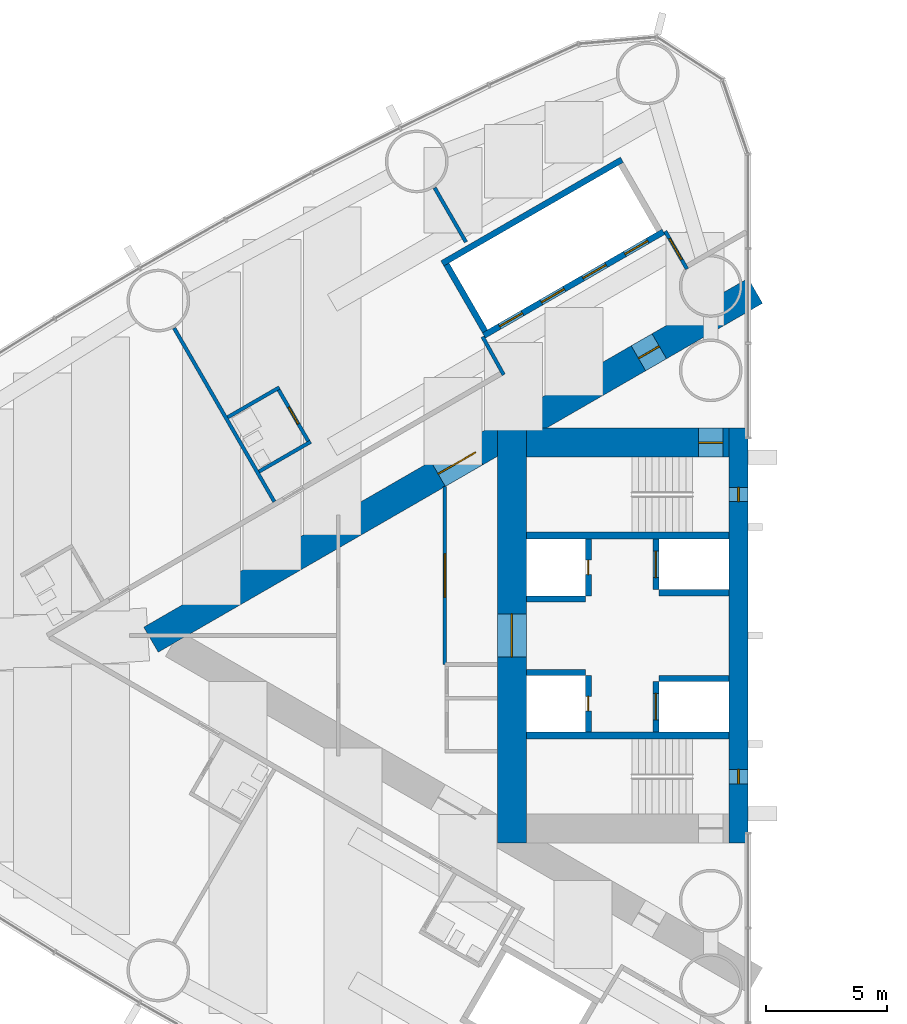
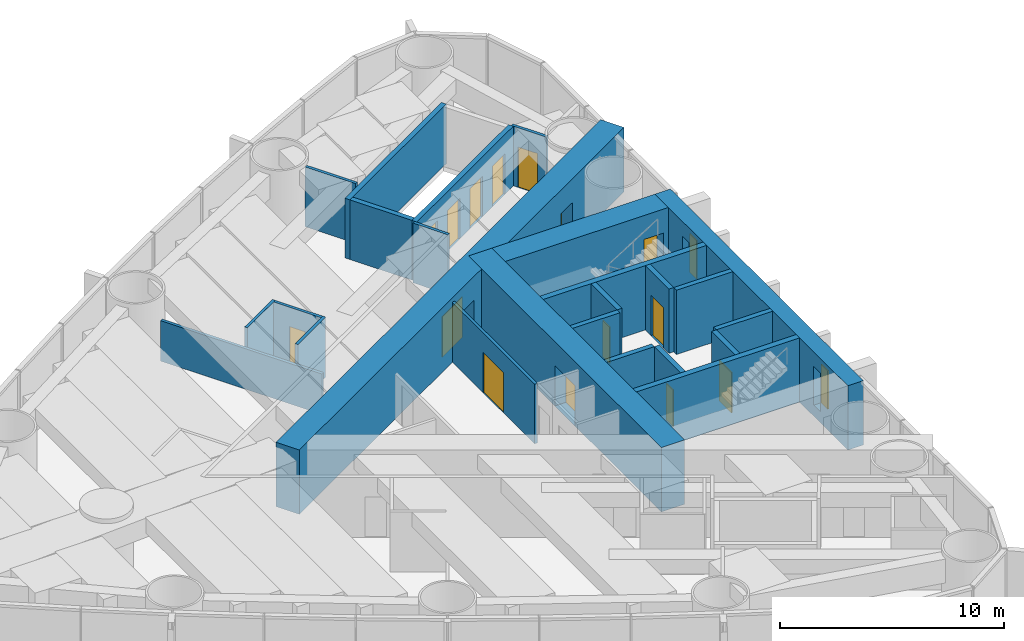
# One storey, part 12 of 19: 25 walls, 15 doors, 2 windows, 17 openings.
"""IFC4 building model written with IfcOpenShell, lengths in metres."""

from ifc_helpers import new_model, si_unit, direction, frame, frame_2d, origin, place, context, subcontext, project, spatial, rectangle, extrude, material, layer, layer_set, type_object, element, fill, save


model = new_model("IFC4")

# Units and contexts
model_context = context("Model", 3, precision=1e-05, world=origin(), true_north=direction((0.0, 1.0)))
body_context = subcontext(model_context, "Body", "Model", "MODEL_VIEW")
ifc_project = project(units=[si_unit("LENGTHUNIT", "METRE"), si_unit("AREAUNIT", "SQUARE_METRE"), si_unit("VOLUMEUNIT", "CUBIC_METRE"), si_unit("PLANEANGLEUNIT", "RADIAN"), si_unit("MASSUNIT", "GRAM", prefix="KILO")], contexts=[model_context])

# Site, building, storey
site_placement = place(None, origin())
site = spatial("IfcSite", under=ifc_project, at=site_placement, CompositionType="ELEMENT")
building_placement = place(site_placement, origin())
building = spatial("IfcBuilding", under=site, at=building_placement, Name="Lancet Gate Hotel", CompositionType="ELEMENT")
storey_placement = place(building_placement, frame((0.0, 0.0, 90.60009765625)))
storey = spatial("IfcBuildingStorey", under=building, at=storey_placement, Name="L23", CompositionType="ELEMENT", Elevation=90.60009765625)

# Wall
ifc_material_1 = material(Name="Moisture resistant board partition")
ifc_layer_1 = layer(ifc_material_1, 0.14990234375)
ifc_layer_set_1 = layer_set([ifc_layer_1], Name="Bathroom wall 150")
wall_type_1 = type_object("IfcWallType", Name="Bathroom wall 150", PredefinedType="PARTITIONING", material=ifc_layer_set_1)
wall_1_placement = place(storey_placement, frame((-46.94287109375, 10.29150390625, 0.0), z_axis=(0.0, 0.0, 1.0), x_axis=(-0.866006523861, -0.500032699561, 0.0)))
element("IfcWall", 1, at=wall_1_placement, inside=storey, type_object=wall_type_1, Name="T1 bathroom wall 150 L23", PredefinedType="PARTITIONING", context=body_context, shape_type="SweptSolid", body=[
    extrude(rectangle(XDim=2.474853515625, YDim=0.14990234375, at=frame_2d((1.2373046875, 0.0))), origin(), (0.0, 0.0, 1.0), 3.25),
])

# Wall, opening, door
wall_2_placement = place(storey_placement, frame((-45.707763671875, 8.00244140625, 0.0), z_axis=(0.0, 0.0, 1.0), x_axis=(-0.500047596559, 0.865997922154, 0.0)))
wall_2 = element("IfcWall", 2, at=wall_2_placement, inside=storey, type_object=wall_type_1, Name="T1 bathroom wall 150 L23", PredefinedType="PARTITIONING", context=body_context, shape_type="SweptSolid", body=[
    extrude(rectangle(XDim=2.599853515625, YDim=0.14990234375, at=frame_2d((1.2998046875, 0.0))), origin(), (0.0, 0.0, 1.0), 3.25),
])
opening_1_placement = place(wall_2_placement, frame((0.89990234375, 0.0, 0.0)))
opening_1 = element("IfcOpeningElement", 3, at=opening_1_placement, cuts=wall_2, Name="Opening 2302-B", PredefinedType="OPENING", context=body_context, shape_type="SweptSolid", body=[
    extrude(rectangle(XDim=0.800048828125, YDim=2.199951171875, at=frame_2d((0.39990234375, 1.10009765625))), frame((0.0, 0.0849609375, 0.0), z_axis=(0.0, -1.0, 0.0), x_axis=(1.0, 0.0, 0.0)), (0.0, 0.0, 1.0), 0.169921875),
])
ifc_material_2 = material(Name="Timber door set", Category="wood")
door_type_1 = type_object("IfcDoorType", Name="Bathroom door 800", OperationType="SINGLE_SWING_RIGHT", PredefinedType="DOOR", material=ifc_material_2)
door_1_placement = place(opening_1_placement, origin())
door_1 = element("IfcDoor", 4, at=door_1_placement, inside=storey, type_object=door_type_1, Name="2302-B", OperationType="SINGLE_SWING_RIGHT", OverallHeight=2.199951171875, OverallWidth=0.800048828125, PredefinedType="DOOR", context=body_context, shape_type="SweptSolid", body=[
    extrude(rectangle(XDim=0.800048828125, YDim=2.199951171875, at=frame_2d((0.39990234375, 1.10009765625))), frame((0.0, 0.02490234375, 0.0), z_axis=(0.0, -1.0, 0.0), x_axis=(1.0, 0.0, 0.0)), (0.0, 0.0, 1.0), 0.050048828125),
])
fill(opening_1, door_1)

# Wall
wall_3_placement = place(storey_placement, frame((-45.642822265625, 8.039794921875, 0.0), z_axis=(0.0, 0.0, 1.0), x_axis=(-0.866006523861, -0.500032699561, 0.0)))
element("IfcWall", 5, at=wall_3_placement, inside=storey, type_object=wall_type_1, Name="T1 bathroom wall 150 L23", PredefinedType="PARTITIONING", context=body_context, shape_type="SweptSolid", body=[
    extrude(rectangle(XDim=2.474853515625, YDim=0.14990234375, at=frame_2d((1.2373046875, 0.0))), origin(), (0.0, 0.0, 1.0), 3.25),
])

# Wall, openings, doors
ifc_material_3 = material(Name="Concrete C70/85", Category="concrete")
ifc_layer_2 = layer(ifc_material_3, 1.199951171875)
ifc_layer_set_2 = layer_set([ifc_layer_2], Name="Buttress wall 1200")
wall_type_2 = type_object("IfcWallType", Name="Buttress wall 1200", PredefinedType="SHEAR", material=ifc_layer_set_2)
wall_4_placement = place(storey_placement, frame((-27.199951171875, 14.300048828125, 0.0), z_axis=(0.0, 0.0, 1.0), x_axis=(-0.866026593062, -0.499997940104, 0.0)))
wall_4 = element("IfcWall", 6, at=wall_4_placement, inside=storey, type_object=wall_type_2, Name="T1 buttress wall S L23", PredefinedType="SHEAR", context=body_context, shape_type="SweptSolid", body=[
    extrude(rectangle(XDim=28.9462890625, YDim=1.199951171875, at=frame_2d((14.47314453125, 0.0))), origin(), (0.0, 0.0, 1.0), 3.5),
])
opening_2_placement = place(wall_4_placement, frame((4.60009765625, 0.0, 0.0)))
opening_2 = element("IfcOpeningElement", 7, at=opening_2_placement, cuts=wall_4, Name="Opening T1-L23-LS", PredefinedType="OPENING", context=body_context, shape_type="SweptSolid", body=[
    extrude(rectangle(XDim=1.0, YDim=2.199951171875, at=frame_2d((0.5, 1.10009765625))), frame((0.0, 0.60986328125, 0.0), z_axis=(0.0, -1.0, 0.0), x_axis=(1.0, 0.0, 0.0)), (0.0, 0.0, 1.0), 1.219970703125),
])
opening_3_placement = place(wall_4_placement, frame((13.39453125, 0.0, 0.0)))
opening_3 = element("IfcOpeningElement", 8, at=opening_3_placement, cuts=wall_4, Name="Opening T1-L23-LHS", PredefinedType="OPENING", context=body_context, shape_type="SweptSolid", body=[
    extrude(rectangle(XDim=1.800048828125, YDim=2.199951171875, at=frame_2d((0.89990234375, 1.10009765625))), frame((0.0, 0.60986328125, 0.0), z_axis=(0.0, -1.0, 0.0), x_axis=(1.0, 0.0, 0.0)), (0.0, 0.0, 1.0), 1.219970703125),
])
ifc_material_4 = material(Name="Timber door set", Category="wood")
door_type_2 = type_object("IfcDoorType", Name="Lobby double door 1800", OperationType="DOUBLE_DOOR_SINGLE_SWING", PredefinedType="DOOR", material=ifc_material_4)
door_2_placement = place(opening_3_placement, origin())
door_2 = element("IfcDoor", 9, at=door_2_placement, inside=storey, type_object=door_type_2, Name="T1-L23-LHS", OperationType="DOUBLE_DOOR_SINGLE_SWING", OverallHeight=2.199951171875, OverallWidth=1.800048828125, PredefinedType="DOOR", context=body_context, shape_type="SweptSolid", body=[
    extrude(rectangle(XDim=1.800048828125, YDim=2.199951171875, at=frame_2d((0.89990234375, 1.10009765625))), frame((0.0, 0.02490234375, 0.0), z_axis=(0.0, -1.0, 0.0), x_axis=(1.0, 0.0, 0.0)), (0.0, 0.0, 1.0), 0.050048828125),
])
fill(opening_3, door_2)
ifc_material_5 = material(Name="Timber door set", Category="wood")
door_type_3 = type_object("IfcDoorType", Name="Stair lobby door 1000", OperationType="SINGLE_SWING_LEFT", PredefinedType="DOOR", material=ifc_material_5)
door_3_placement = place(opening_2_placement, origin())
door_3 = element("IfcDoor", 10, at=door_3_placement, inside=storey, type_object=door_type_3, Name="T1-L23-LS", OperationType="SINGLE_SWING_LEFT", OverallHeight=2.199951171875, OverallWidth=1.0, PredefinedType="DOOR", context=body_context, shape_type="SweptSolid", body=[
    extrude(rectangle(XDim=1.0, YDim=2.199951171875, at=frame_2d((0.5, 1.10009765625))), frame((0.0, 0.02490234375, 0.0), z_axis=(0.0, -1.0, 0.0), x_axis=(1.0, 0.0, 0.0)), (0.0, 0.0, 1.0), 0.050048828125),
])
fill(opening_2, door_3)

# Wall, opening, door
ifc_material_6 = material(Name="Concrete C70/85", Category="concrete")
ifc_layer_3 = layer(ifc_material_6, 1.199951171875)
ifc_layer_set_3 = layer_set([ifc_layer_3], Name="Core wall 1200")
wall_type_3 = type_object("IfcWallType", Name="Core wall 1200", PredefinedType="SHEAR", material=ifc_layer_set_3)
wall_5_placement = place(storey_placement, frame((-37.300048828125, 8.60009765625, 0.0), z_axis=(0.0, 0.0, 1.0), x_axis=(0.0, -1.0, 0.0)))
wall_5 = element("IfcWall", 11, at=wall_5_placement, inside=storey, type_object=wall_type_3, Name="T1 core wall back L23", PredefinedType="SHEAR", context=body_context, shape_type="SweptSolid", body=[
    extrude(rectangle(XDim=17.2001953125, YDim=1.199951171875, at=frame_2d((8.60009765625, 0.0))), origin(), (0.0, 0.0, 1.0), 3.5),
])
opening_4_placement = place(wall_5_placement, frame((7.699951171875, 0.0, 0.0)))
opening_4 = element("IfcOpeningElement", 12, at=opening_4_placement, cuts=wall_5, Name="Opening T1-L23-LL", PredefinedType="OPENING", context=body_context, shape_type="SweptSolid", body=[
    extrude(rectangle(XDim=1.800048828125, YDim=2.199951171875, at=frame_2d((0.89990234375, 1.10009765625))), frame((0.0, 0.60986328125, 0.0), z_axis=(0.0, -1.0, 0.0), x_axis=(1.0, 0.0, 0.0)), (0.0, 0.0, 1.0), 1.219970703125),
])
door_4_placement = place(opening_4_placement, origin())
door_4 = element("IfcDoor", 13, at=door_4_placement, inside=storey, type_object=door_type_2, Name="T1-L23-LL", OperationType="DOUBLE_DOOR_SINGLE_SWING", OverallHeight=2.199951171875, OverallWidth=1.800048828125, PredefinedType="DOOR", context=body_context, shape_type="SweptSolid", body=[
    extrude(rectangle(XDim=1.800048828125, YDim=2.199951171875, at=frame_2d((0.89990234375, 1.10009765625))), frame((0.0, 0.02490234375, 0.0), z_axis=(0.0, -1.0, 0.0), x_axis=(1.0, 0.0, 0.0)), (0.0, 0.0, 1.0), 0.050048828125),
])
fill(opening_4, door_4)

wall_6_placement = place(storey_placement, frame((-28.300048828125, 8.0, 0.0), z_axis=(0.0, 0.0, 1.0), x_axis=(-1.0, 0.0, 0.0)))
wall_6 = element("IfcWall", 14, at=wall_6_placement, inside=storey, type_object=wall_type_3, Name="T1 core wall side-S L23", PredefinedType="SHEAR", context=body_context, shape_type="SweptSolid", body=[
    extrude(rectangle(XDim=8.39990234375, YDim=1.199951171875, at=frame_2d((4.199951171875, 0.0))), origin(), (0.0, 0.0, 1.0), 3.5),
])
opening_5_placement = place(wall_6_placement, frame((0.25, 0.0, 0.0)))
opening_5 = element("IfcOpeningElement", 15, at=opening_5_placement, cuts=wall_6, Name="Opening T1-L23-ST1", PredefinedType="OPENING", context=body_context, shape_type="SweptSolid", body=[
    extrude(rectangle(XDim=1.0, YDim=2.199951171875, at=frame_2d((0.5, 1.10009765625))), frame((0.0, 0.60986328125, 0.0), z_axis=(0.0, -1.0, 0.0), x_axis=(1.0, 0.0, 0.0)), (0.0, 0.0, 1.0), 1.219970703125),
])
ifc_material_7 = material(Name="Timber door set", Category="wood")
door_type_4 = type_object("IfcDoorType", Name="Stair door 1000", OperationType="SINGLE_SWING_RIGHT", PredefinedType="DOOR", material=ifc_material_7)
door_5_placement = place(opening_5_placement, origin())
door_5 = element("IfcDoor", 16, at=door_5_placement, inside=storey, type_object=door_type_4, Name="T1-L23-ST1", OperationType="SINGLE_SWING_RIGHT", OverallHeight=2.199951171875, OverallWidth=1.0, PredefinedType="DOOR", context=body_context, shape_type="SweptSolid", body=[
    extrude(rectangle(XDim=1.0, YDim=2.199951171875, at=frame_2d((0.5, 1.10009765625))), frame((0.0, 0.02490234375, 0.0), z_axis=(0.0, -1.0, 0.0), x_axis=(1.0, 0.0, 0.0)), (0.0, 0.0, 1.0), 0.050048828125),
])
fill(opening_5, door_5)

# Wall, openings, windows
ifc_material_8 = material(Name="Concrete C70/85", Category="concrete")
ifc_layer_4 = layer(ifc_material_8, 0.800048828125)
ifc_layer_set_4 = layer_set([ifc_layer_4], Name="Core wall 800")
wall_type_4 = type_object("IfcWallType", Name="Core wall 800", PredefinedType="SHEAR", material=ifc_layer_set_4)
wall_7_placement = place(storey_placement, frame((-27.89990234375, 8.60009765625, 0.0), z_axis=(0.0, 0.0, 1.0), x_axis=(0.0, -1.0, 0.0)))
wall_7 = element("IfcWall", 17, at=wall_7_placement, inside=storey, type_object=wall_type_4, Name="T1 core wall front L23", PredefinedType="SHEAR", context=body_context, shape_type="SweptSolid", body=[
    extrude(rectangle(XDim=17.2001953125, YDim=0.800048828125, at=frame_2d((8.60009765625, 0.0))), origin(), (0.0, 0.0, 1.0), 3.5),
])
opening_6_placement = place(wall_7_placement, frame((2.449951171875, 0.0, 0.60009765625)))
opening_6 = element("IfcOpeningElement", 18, at=opening_6_placement, cuts=wall_7, Name="Opening LW1", PredefinedType="OPENING", context=body_context, shape_type="SweptSolid", body=[
    extrude(rectangle(XDim=0.60009765625, YDim=2.10009765625, at=frame_2d((0.300048828125, 1.050048828125))), frame((0.0, 0.409912109375, 0.0), z_axis=(0.0, -1.0, 0.0), x_axis=(1.0, 0.0, 0.0)), (0.0, 0.0, 1.0), 0.820068359375),
])
opening_7_placement = place(wall_7_placement, frame((14.14990234375, 0.0, 0.60009765625)))
opening_7 = element("IfcOpeningElement", 19, at=opening_7_placement, cuts=wall_7, Name="Opening LW1", PredefinedType="OPENING", context=body_context, shape_type="SweptSolid", body=[
    extrude(rectangle(XDim=0.60009765625, YDim=2.10009765625, at=frame_2d((0.300048828125, 1.050048828125))), frame((0.0, 0.409912109375, 0.0), z_axis=(0.0, -1.0, 0.0), x_axis=(1.0, 0.0, 0.0)), (0.0, 0.0, 1.0), 0.820068359375),
])
ifc_material_9 = material(Name="Fire-resisting glazed steel window", Category="steel")
window_type = type_object("IfcWindowType", Name="Lancet window 600x2100", PartitioningType="SINGLE_PANEL", PredefinedType="WINDOW", material=ifc_material_9)
window_1_placement = place(opening_6_placement, origin())
window_1 = element("IfcWindow", 20, at=window_1_placement, inside=storey, type_object=window_type, Name="T1 stair window S L23", OverallHeight=2.10009765625, OverallWidth=0.60009765625, PartitioningType="SINGLE_PANEL", PredefinedType="WINDOW", context=body_context, shape_type="SweptSolid", body=[
    extrude(rectangle(XDim=0.60009765625, YDim=2.10009765625, at=frame_2d((0.300048828125, 1.050048828125))), frame((0.0, 0.030029296875, 0.0), z_axis=(0.0, -1.0, 0.0), x_axis=(1.0, 0.0, 0.0)), (0.0, 0.0, 1.0), 0.06005859375),
])
fill(opening_6, window_1)
window_2_placement = place(opening_7_placement, origin())
window_2 = element("IfcWindow", 21, at=window_2_placement, inside=storey, type_object=window_type, Name="T1 stair window N L23", OverallHeight=2.10009765625, OverallWidth=0.60009765625, PartitioningType="SINGLE_PANEL", PredefinedType="WINDOW", context=body_context, shape_type="SweptSolid", body=[
    extrude(rectangle(XDim=0.60009765625, YDim=2.10009765625, at=frame_2d((0.300048828125, 1.050048828125))), frame((0.0, 0.030029296875, 0.0), z_axis=(0.0, -1.0, 0.0), x_axis=(1.0, 0.0, 0.0)), (0.0, 0.0, 1.0), 0.06005859375),
])
fill(opening_7, window_2)

# Wall, openings, doors
ifc_material_10 = material(Name="Gypsum board partition")
ifc_layer_5 = layer(ifc_material_10, 0.25)
ifc_layer_set_5 = layer_set([ifc_layer_5], Name="Lift shaft partition 250")
wall_type_5 = type_object("IfcWallType", Name="Lift shaft partition 250", PredefinedType="PARTITIONING", material=ifc_layer_set_5)
wall_8_placement = place(storey_placement, frame((-31.010498046875, 16.747314453125, 0.0), z_axis=(0.0, 0.0, 1.0), x_axis=(-0.866028165386, -0.499995216735, 0.0)))
wall_8 = element("IfcWall", 22, at=wall_8_placement, inside=storey, type_object=wall_type_5, Name="T1 lift shaft wall LR L23", PredefinedType="PARTITIONING", context=body_context, shape_type="SweptSolid", body=[
    extrude(rectangle(XDim=8.60009765625, YDim=0.25, at=frame_2d((4.300048828125, 0.0))), origin(), (0.0, 0.0, 1.0), 3.25),
])
opening_8_placement = place(wall_8_placement, frame((0.75, 0.0, 0.0)))
opening_8 = element("IfcOpeningElement", 23, at=opening_8_placement, cuts=wall_8, Name="Opening T1-LR1-L23", PredefinedType="OPENING", context=body_context, shape_type="SweptSolid", body=[
    extrude(rectangle(XDim=1.10009765625, YDim=2.199951171875, at=frame_2d((0.550048828125, 1.10009765625))), frame((0.0, 0.135009765625, 0.0), z_axis=(0.0, -1.0, 0.0), x_axis=(1.0, 0.0, 0.0)), (0.0, 0.0, 1.0), 0.27001953125),
])
opening_9_placement = place(wall_8_placement, frame((2.75, 0.0, 0.0)))
opening_9 = element("IfcOpeningElement", 24, at=opening_9_placement, cuts=wall_8, Name="Opening T1-LR2-L23", PredefinedType="OPENING", context=body_context, shape_type="SweptSolid", body=[
    extrude(rectangle(XDim=1.10009765625, YDim=2.199951171875, at=frame_2d((0.550048828125, 1.10009765625))), frame((0.0, 0.135009765625, 0.0), z_axis=(0.0, -1.0, 0.0), x_axis=(1.0, 0.0, 0.0)), (0.0, 0.0, 1.0), 0.27001953125),
])
opening_10_placement = place(wall_8_placement, frame((4.75, 0.0, 0.0)))
opening_10 = element("IfcOpeningElement", 25, at=opening_10_placement, cuts=wall_8, Name="Opening T1-LR3-L23", PredefinedType="OPENING", context=body_context, shape_type="SweptSolid", body=[
    extrude(rectangle(XDim=1.10009765625, YDim=2.199951171875, at=frame_2d((0.550048828125, 1.10009765625))), frame((0.0, 0.135009765625, 0.0), z_axis=(0.0, -1.0, 0.0), x_axis=(1.0, 0.0, 0.0)), (0.0, 0.0, 1.0), 0.27001953125),
])
opening_11_placement = place(wall_8_placement, frame((6.75, 0.0, 0.0)))
opening_11 = element("IfcOpeningElement", 26, at=opening_11_placement, cuts=wall_8, Name="Opening T1-LR4-L23", PredefinedType="OPENING", context=body_context, shape_type="SweptSolid", body=[
    extrude(rectangle(XDim=1.10009765625, YDim=2.199951171875, at=frame_2d((0.550048828125, 1.10009765625))), frame((0.0, 0.135009765625, 0.0), z_axis=(0.0, -1.0, 0.0), x_axis=(1.0, 0.0, 0.0)), (0.0, 0.0, 1.0), 0.27001953125),
])
ifc_material_11 = material(Name="Steel door set", Category="steel")
door_type_5 = type_object("IfcDoorType", Name="Lift landing door 1100", OperationType="DOUBLE_DOOR_SLIDING", PredefinedType="USERDEFINED", material=ifc_material_11)
door_6_placement = place(opening_8_placement, origin())
door_6 = element("IfcDoor", 27, at=door_6_placement, inside=storey, type_object=door_type_5, Name="T1-LR1-L23", ObjectType="LIFT LANDING DOOR", OperationType="DOUBLE_DOOR_SLIDING", OverallHeight=2.199951171875, OverallWidth=1.10009765625, PredefinedType="USERDEFINED", context=body_context, shape_type="SweptSolid", body=[
    extrude(rectangle(XDim=1.10009765625, YDim=2.199951171875, at=frame_2d((0.550048828125, 1.10009765625))), frame((0.0, 0.02490234375, 0.0), z_axis=(0.0, -1.0, 0.0), x_axis=(1.0, 0.0, 0.0)), (0.0, 0.0, 1.0), 0.050048828125),
])
fill(opening_8, door_6)
door_7_placement = place(opening_9_placement, origin())
door_7 = element("IfcDoor", 28, at=door_7_placement, inside=storey, type_object=door_type_5, Name="T1-LR2-L23", ObjectType="LIFT LANDING DOOR", OperationType="DOUBLE_DOOR_SLIDING", OverallHeight=2.199951171875, OverallWidth=1.10009765625, PredefinedType="USERDEFINED", context=body_context, shape_type="SweptSolid", body=[
    extrude(rectangle(XDim=1.10009765625, YDim=2.199951171875, at=frame_2d((0.550048828125, 1.10009765625))), frame((0.0, 0.02490234375, 0.0), z_axis=(0.0, -1.0, 0.0), x_axis=(1.0, 0.0, 0.0)), (0.0, 0.0, 1.0), 0.050048828125),
])
fill(opening_9, door_7)
door_8_placement = place(opening_10_placement, origin())
door_8 = element("IfcDoor", 29, at=door_8_placement, inside=storey, type_object=door_type_5, Name="T1-LR3-L23", ObjectType="LIFT LANDING DOOR", OperationType="DOUBLE_DOOR_SLIDING", OverallHeight=2.199951171875, OverallWidth=1.10009765625, PredefinedType="USERDEFINED", context=body_context, shape_type="SweptSolid", body=[
    extrude(rectangle(XDim=1.10009765625, YDim=2.199951171875, at=frame_2d((0.550048828125, 1.10009765625))), frame((0.0, 0.02490234375, 0.0), z_axis=(0.0, -1.0, 0.0), x_axis=(1.0, 0.0, 0.0)), (0.0, 0.0, 1.0), 0.050048828125),
])
fill(opening_10, door_8)
door_9_placement = place(opening_11_placement, origin())
door_9 = element("IfcDoor", 30, at=door_9_placement, inside=storey, type_object=door_type_5, Name="T1-LR4-L23", ObjectType="LIFT LANDING DOOR", OperationType="DOUBLE_DOOR_SLIDING", OverallHeight=2.199951171875, OverallWidth=1.10009765625, PredefinedType="USERDEFINED", context=body_context, shape_type="SweptSolid", body=[
    extrude(rectangle(XDim=1.10009765625, YDim=2.199951171875, at=frame_2d((0.550048828125, 1.10009765625))), frame((0.0, 0.02490234375, 0.0), z_axis=(0.0, -1.0, 0.0), x_axis=(1.0, 0.0, 0.0)), (0.0, 0.0, 1.0), 0.050048828125),
])
fill(opening_11, door_9)

# Walls
wall_9_placement = place(storey_placement, frame((-32.735595703125, 19.73583984375, 0.0), z_axis=(0.0, 0.0, 1.0), x_axis=(-0.866028165386, -0.499995216735, 0.0)))
element("IfcWall", 31, at=wall_9_placement, inside=storey, type_object=wall_type_5, Name="T1 lift shaft wall LR L23", PredefinedType="PARTITIONING", context=body_context, shape_type="SweptSolid", body=[
    extrude(rectangle(XDim=8.60009765625, YDim=0.25, at=frame_2d((4.300048828125, 0.0))), origin(), (0.0, 0.0, 1.0), 3.25),
])
wall_10_placement = place(storey_placement, frame((-38.412841796875, 12.617919921875, 0.0), z_axis=(0.0, 0.0, 1.0), x_axis=(-0.499872130319, 0.866099216793, 0.0)))
element("IfcWall", 32, at=wall_10_placement, inside=storey, type_object=wall_type_5, Name="T1 lift shaft wall LR L23", PredefinedType="PARTITIONING", context=body_context, shape_type="SweptSolid", body=[
    extrude(rectangle(XDim=3.200439453125, YDim=0.25, at=frame_2d((1.60009765625, 0.0))), origin(), (0.0, 0.0, 1.0), 3.25),
])

# Wall, opening, door
ifc_material_12 = material(Name="Concrete C50/60", Category="concrete")
ifc_layer_6 = layer(ifc_material_12, 0.25)
ifc_layer_set_6 = layer_set([ifc_layer_6], Name="Lift shaft wall 250")
wall_type_6 = type_object("IfcWallType", Name="Lift shaft wall 250", PredefinedType="SHEAR", material=ifc_layer_set_6)
wall_11_placement = place(storey_placement, frame((-31.324951171875, 4.0, 0.0), z_axis=(0.0, 0.0, 1.0), x_axis=(0.0, -1.0, 0.0)))
wall_11 = element("IfcWall", 33, at=wall_11_placement, inside=storey, type_object=wall_type_6, Name="T1 core wall row1-S L23", PredefinedType="SHEAR", context=body_context, shape_type="SweptSolid", body=[
    extrude(rectangle(XDim=2.10009765625, YDim=0.25, at=frame_2d((1.050048828125, 0.0))), origin(), (0.0, 0.0, 1.0), 3.5),
])
opening_12_placement = place(wall_11_placement, frame((0.5, 0.0, 0.0)))
opening_12 = element("IfcOpeningElement", 34, at=opening_12_placement, cuts=wall_11, Name="Opening T1-SL1-L23", PredefinedType="OPENING", context=body_context, shape_type="SweptSolid", body=[
    extrude(rectangle(XDim=1.10009765625, YDim=2.199951171875, at=frame_2d((0.550048828125, 1.10009765625))), frame((0.0, 0.135009765625, 0.0), z_axis=(0.0, -1.0, 0.0), x_axis=(1.0, 0.0, 0.0)), (0.0, 0.0, 1.0), 0.27001953125),
])
ifc_material_13 = material(Name="Timber door set", Category="wood")
door_type_6 = type_object("IfcDoorType", Name="Service lift landing door 1100", OperationType="SLIDING_TO_LEFT", PredefinedType="USERDEFINED", material=ifc_material_13)
door_10_placement = place(opening_12_placement, origin())
door_10 = element("IfcDoor", 35, at=door_10_placement, inside=storey, type_object=door_type_6, Name="T1-SL1-L23", ObjectType="LIFT LANDING DOOR", OperationType="SLIDING_TO_LEFT", OverallHeight=2.199951171875, OverallWidth=1.10009765625, PredefinedType="USERDEFINED", context=body_context, shape_type="SweptSolid", body=[
    extrude(rectangle(XDim=1.10009765625, YDim=2.199951171875, at=frame_2d((0.550048828125, 1.10009765625))), frame((0.0, 0.02490234375, 0.0), z_axis=(0.0, -1.0, 0.0), x_axis=(1.0, 0.0, 0.0)), (0.0, 0.0, 1.0), 0.050048828125),
])
fill(opening_12, door_10)

wall_12_placement = place(storey_placement, frame((-34.125, 4.0, 0.0), z_axis=(0.0, 0.0, 1.0), x_axis=(0.0, -1.0, 0.0)))
wall_12 = element("IfcWall", 36, at=wall_12_placement, inside=storey, type_object=wall_type_6, Name="T1 core wall row2-S L23", PredefinedType="SHEAR", context=body_context, shape_type="SweptSolid", body=[
    extrude(rectangle(XDim=2.35009765625, YDim=0.25, at=frame_2d((1.175048828125, 0.0))), origin(), (0.0, 0.0, 1.0), 3.5),
])
opening_13_placement = place(wall_12_placement, frame((0.875, 0.0, 0.0)))
opening_13 = element("IfcOpeningElement", 37, at=opening_13_placement, cuts=wall_12, Name="Opening T1-OL3-L23-E", PredefinedType="OPENING", context=body_context, shape_type="SweptSolid", body=[
    extrude(rectangle(XDim=0.60009765625, YDim=2.0, at=frame_2d((0.300048828125, 1.0))), frame((0.0, 0.135009765625, 0.0), z_axis=(0.0, -1.0, 0.0), x_axis=(1.0, 0.0, 0.0)), (0.0, 0.0, 1.0), 0.27001953125),
])
ifc_material_14 = material(Name="Steel door set", Category="steel")
door_type_7 = type_object("IfcDoorType", Name="Lift shaft emergency door 600x2000", OperationType="SLIDING_TO_LEFT", PredefinedType="DOOR", material=ifc_material_14)
door_11_placement = place(opening_13_placement, origin())
door_11 = element("IfcDoor", 38, at=door_11_placement, inside=storey, type_object=door_type_7, Name="T1-OL3-L23-E", OperationType="SLIDING_TO_LEFT", OverallHeight=2.0, OverallWidth=0.60009765625, PredefinedType="DOOR", context=body_context, shape_type="SweptSolid", body=[
    extrude(rectangle(XDim=0.60009765625, YDim=2.0, at=frame_2d((0.300048828125, 1.0))), frame((0.0, 0.02490234375, 0.0), z_axis=(0.0, -1.0, 0.0), x_axis=(1.0, 0.0, 0.0)), (0.0, 0.0, 1.0), 0.050048828125),
])
fill(opening_13, door_11)

# Walls
wall_13_placement = place(storey_placement, frame((-28.300048828125, 1.77490234375, 0.0), z_axis=(0.0, 0.0, 1.0), x_axis=(-1.0, 0.0, 0.0)))
element("IfcWall", 39, at=wall_13_placement, inside=storey, type_object=wall_type_6, Name="T1 core wall pass1-S L23", PredefinedType="SHEAR", context=body_context, shape_type="SweptSolid", body=[
    extrude(rectangle(XDim=2.89990234375, YDim=0.25, at=frame_2d((1.449951171875, 0.0))), origin(), (0.0, 0.0, 1.0), 3.5),
])
wall_14_placement = place(storey_placement, frame((-34.25, 1.52490234375, 0.0), z_axis=(0.0, 0.0, 1.0), x_axis=(-1.0, 0.0, 0.0)))
element("IfcWall", 40, at=wall_14_placement, inside=storey, type_object=wall_type_6, Name="T1 core wall pass2-S L23", PredefinedType="SHEAR", context=body_context, shape_type="SweptSolid", body=[
    extrude(rectangle(XDim=2.449951171875, YDim=0.25, at=frame_2d((1.22509765625, 0.0))), origin(), (0.0, 0.0, 1.0), 3.5),
])

# Wall, opening, door
wall_15_placement = place(storey_placement, frame((-31.324951171875, -1.89990234375, 0.0), z_axis=(0.0, 0.0, 1.0), x_axis=(0.0, -1.0, 0.0)))
wall_15 = element("IfcWall", 41, at=wall_15_placement, inside=storey, type_object=wall_type_6, Name="T1 core wall row1-N L23", PredefinedType="SHEAR", context=body_context, shape_type="SweptSolid", body=[
    extrude(rectangle(XDim=2.10009765625, YDim=0.25, at=frame_2d((1.050048828125, 0.0))), origin(), (0.0, 0.0, 1.0), 3.5),
])
opening_14_placement = place(wall_15_placement, frame((0.5, 0.0, 0.0)))
opening_14 = element("IfcOpeningElement", 42, at=opening_14_placement, cuts=wall_15, Name="Opening T1-FL2-L23", PredefinedType="OPENING", context=body_context, shape_type="SweptSolid", body=[
    extrude(rectangle(XDim=1.10009765625, YDim=2.199951171875, at=frame_2d((0.550048828125, 1.10009765625))), frame((0.0, 0.135009765625, 0.0), z_axis=(0.0, -1.0, 0.0), x_axis=(1.0, 0.0, 0.0)), (0.0, 0.0, 1.0), 0.27001953125),
])
ifc_material_15 = material(Name="Steel door set", Category="steel")
door_type_8 = type_object("IfcDoorType", Name="Firefighting lift landing door 1100", OperationType="SLIDING_TO_LEFT", PredefinedType="USERDEFINED", material=ifc_material_15)
door_12_placement = place(opening_14_placement, origin())
door_12 = element("IfcDoor", 43, at=door_12_placement, inside=storey, type_object=door_type_8, Name="T1-FL2-L23", ObjectType="LIFT LANDING DOOR", OperationType="SLIDING_TO_LEFT", OverallHeight=2.199951171875, OverallWidth=1.10009765625, PredefinedType="USERDEFINED", context=body_context, shape_type="SweptSolid", body=[
    extrude(rectangle(XDim=1.10009765625, YDim=2.199951171875, at=frame_2d((0.550048828125, 1.10009765625))), frame((0.0, 0.02490234375, 0.0), z_axis=(0.0, -1.0, 0.0), x_axis=(1.0, 0.0, 0.0)), (0.0, 0.0, 1.0), 0.050048828125),
])
fill(opening_14, door_12)

wall_16_placement = place(storey_placement, frame((-34.125, -1.64990234375, 0.0), z_axis=(0.0, 0.0, 1.0), x_axis=(0.0, -1.0, 0.0)))
wall_16 = element("IfcWall", 44, at=wall_16_placement, inside=storey, type_object=wall_type_6, Name="T1 core wall row2-N L23", PredefinedType="SHEAR", context=body_context, shape_type="SweptSolid", body=[
    extrude(rectangle(XDim=2.35009765625, YDim=0.25, at=frame_2d((1.175048828125, 0.0))), origin(), (0.0, 0.0, 1.0), 3.5),
])
opening_15_placement = place(wall_16_placement, frame((0.875, 0.0, 0.0)))
opening_15 = element("IfcOpeningElement", 45, at=opening_15_placement, cuts=wall_16, Name="Opening T1-OL4-L23-E", PredefinedType="OPENING", context=body_context, shape_type="SweptSolid", body=[
    extrude(rectangle(XDim=0.60009765625, YDim=2.0, at=frame_2d((0.300048828125, 1.0))), frame((0.0, 0.135009765625, 0.0), z_axis=(0.0, -1.0, 0.0), x_axis=(1.0, 0.0, 0.0)), (0.0, 0.0, 1.0), 0.27001953125),
])
door_13_placement = place(opening_15_placement, origin())
door_13 = element("IfcDoor", 46, at=door_13_placement, inside=storey, type_object=door_type_7, Name="T1-OL4-L23-E", OperationType="SLIDING_TO_LEFT", OverallHeight=2.0, OverallWidth=0.60009765625, PredefinedType="DOOR", context=body_context, shape_type="SweptSolid", body=[
    extrude(rectangle(XDim=0.60009765625, YDim=2.0, at=frame_2d((0.300048828125, 1.0))), frame((0.0, 0.02490234375, 0.0), z_axis=(0.0, -1.0, 0.0), x_axis=(1.0, 0.0, 0.0)), (0.0, 0.0, 1.0), 0.050048828125),
])
fill(opening_15, door_13)

# Walls
wall_17_placement = place(storey_placement, frame((-28.300048828125, -1.77490234375, 0.0), z_axis=(0.0, 0.0, 1.0), x_axis=(-1.0, 0.0, 0.0)))
element("IfcWall", 47, at=wall_17_placement, inside=storey, type_object=wall_type_6, Name="T1 core wall pass1-N L23", PredefinedType="SHEAR", context=body_context, shape_type="SweptSolid", body=[
    extrude(rectangle(XDim=2.89990234375, YDim=0.25, at=frame_2d((1.449951171875, 0.0))), origin(), (0.0, 0.0, 1.0), 3.5),
])
wall_18_placement = place(storey_placement, frame((-34.25, -1.52490234375, 0.0), z_axis=(0.0, 0.0, 1.0), x_axis=(-1.0, 0.0, 0.0)))
element("IfcWall", 48, at=wall_18_placement, inside=storey, type_object=wall_type_6, Name="T1 core wall pass2-N L23", PredefinedType="SHEAR", context=body_context, shape_type="SweptSolid", body=[
    extrude(rectangle(XDim=2.449951171875, YDim=0.25, at=frame_2d((1.22509765625, 0.0))), origin(), (0.0, 0.0, 1.0), 3.5),
])
ifc_material_16 = material(Name="Gypsum board partition")
ifc_layer_7 = layer(ifc_material_16, 0.14990234375)
ifc_layer_set_7 = layer_set([ifc_layer_7], Name="Party wall 150")
wall_type_7 = type_object("IfcWallType", Name="Party wall 150", PredefinedType="PARTITIONING", material=ifc_layer_set_7)
wall_19_placement = place(storey_placement, frame((-47.151123046875, 5.552490234375, 0.0), z_axis=(0.0, 0.0, 1.0), x_axis=(-0.500003012045, 0.866023664773, 0.0)))
element("IfcWall", 49, at=wall_19_placement, inside=storey, type_object=wall_type_7, Name="T1 party wall 150 L23", PredefinedType="PARTITIONING", context=body_context, shape_type="SweptSolid", body=[
    extrude(rectangle(XDim=8.31103515625, YDim=0.14990234375, at=frame_2d((4.155517578125, 0.0))), origin(), (0.0, 0.0, 1.0), 2.199951171875),
])
wall_20_placement = place(storey_placement, frame((-39.202392578125, 16.31982421875, 0.0), z_axis=(0.0, 0.0, 1.0), x_axis=(-0.499947391036, 0.866055775454, 0.0)))
element("IfcWall", 50, at=wall_20_placement, inside=storey, type_object=wall_type_7, Name="T1 party wall 150 L23", PredefinedType="PARTITIONING", context=body_context, shape_type="SweptSolid", body=[
    extrude(rectangle(XDim=2.599365234375, YDim=0.14990234375, at=frame_2d((1.2998046875, 0.0))), origin(), (0.0, 0.0, 1.0), 3.25),
])
ifc_material_17 = material(Name="Gypsum board partition")
ifc_layer_8 = layer(ifc_material_17, 0.14990234375)
ifc_layer_set_8 = layer_set([ifc_layer_8], Name="Service room wall 150")
wall_type_8 = type_object("IfcWallType", Name="Service room wall 150", PredefinedType="PARTITIONING", material=ifc_layer_set_8)
wall_21_placement = place(storey_placement, frame((-38.513427734375, 12.392333984375, 0.0), z_axis=(0.0, 0.0, 1.0), x_axis=(0.485585508183, -0.874189175317, 0.0)))
element("IfcWall", 51, at=wall_21_placement, inside=storey, type_object=wall_type_8, Name="T1 service room wall 150 L23", PredefinedType="PARTITIONING", context=body_context, shape_type="SweptSolid", body=[
    extrude(rectangle(XDim=1.804931640625, YDim=0.14990234375, at=frame_2d((0.90234375, 0.0))), origin(), (0.0, 0.0, 1.0), 3.25),
])

# Wall, opening, door
wall_22_placement = place(storey_placement, frame((-30.033203125, 15.20458984375, 0.0), z_axis=(0.0, 0.0, 1.0), x_axis=(-0.499980071345, 0.866036909293, 0.0)))
wall_22 = element("IfcWall", 52, at=wall_22_placement, inside=storey, type_object=wall_type_8, Name="T1 service room wall 150 L23", PredefinedType="PARTITIONING", context=body_context, shape_type="SweptSolid", body=[
    extrude(rectangle(XDim=1.8046875, YDim=0.14990234375, at=frame_2d((0.90234375, 0.0))), origin(), (0.0, 0.0, 1.0), 3.25),
])
opening_16_placement = place(wall_22_placement, frame((0.451904296875, 0.0, 0.0)))
opening_16 = element("IfcOpeningElement", 53, at=opening_16_placement, cuts=wall_22, Name="Opening T1-L23-LO1", PredefinedType="OPENING", context=body_context, shape_type="SweptSolid", body=[
    extrude(rectangle(XDim=1.0, YDim=2.199951171875, at=frame_2d((0.5, 1.10009765625))), frame((0.0, 0.0849609375, 0.0), z_axis=(0.0, -1.0, 0.0), x_axis=(1.0, 0.0, 0.0)), (0.0, 0.0, 1.0), 0.169921875),
])
ifc_material_18 = material(Name="Timber door set", Category="wood")
door_type_9 = type_object("IfcDoorType", Name="Service door 1000", OperationType="SINGLE_SWING_LEFT", PredefinedType="DOOR", material=ifc_material_18)
door_14_placement = place(opening_16_placement, origin())
door_14 = element("IfcDoor", 54, at=door_14_placement, inside=storey, type_object=door_type_9, Name="T1-L23-LO1", OperationType="SINGLE_SWING_LEFT", OverallHeight=2.199951171875, OverallWidth=1.0, PredefinedType="DOOR", context=body_context, shape_type="SweptSolid", body=[
    extrude(rectangle(XDim=1.0, YDim=2.199951171875, at=frame_2d((0.5, 1.10009765625))), frame((0.0, 0.02490234375, 0.0), z_axis=(0.0, -1.0, 0.0), x_axis=(1.0, 0.0, 0.0)), (0.0, 0.0, 1.0), 0.050048828125),
])
fill(opening_16, door_14)

wall_23_placement = place(storey_placement, frame((-40.074951171875, 6.173828125, 0.0), z_axis=(0.0, 0.0, 1.0), x_axis=(0.0, -1.0, 0.0)))
wall_23 = element("IfcWall", 55, at=wall_23_placement, inside=storey, type_object=wall_type_8, Name="T1 service room wall 150 L23", PredefinedType="PARTITIONING", context=body_context, shape_type="SweptSolid", body=[
    extrude(rectangle(XDim=7.373779296875, YDim=0.14990234375, at=frame_2d((3.68701171875, 0.0))), origin(), (0.0, 0.0, 1.0), 3.25),
])
opening_17_placement = place(wall_23_placement, frame((2.786865234375, 0.0, 0.0)))
opening_17 = element("IfcOpeningElement", 56, at=opening_17_placement, cuts=wall_23, Name="Opening T1-L23-LH", PredefinedType="OPENING", context=body_context, shape_type="SweptSolid", body=[
    extrude(rectangle(XDim=1.800048828125, YDim=2.199951171875, at=frame_2d((0.89990234375, 1.10009765625))), frame((0.0, 0.0849609375, 0.0), z_axis=(0.0, -1.0, 0.0), x_axis=(1.0, 0.0, 0.0)), (0.0, 0.0, 1.0), 0.169921875),
])
door_15_placement = place(opening_17_placement, origin())
door_15 = element("IfcDoor", 57, at=door_15_placement, inside=storey, type_object=door_type_2, Name="T1-L23-LH", OperationType="DOUBLE_DOOR_SINGLE_SWING", OverallHeight=2.199951171875, OverallWidth=1.800048828125, PredefinedType="DOOR", context=body_context, shape_type="SweptSolid", body=[
    extrude(rectangle(XDim=1.800048828125, YDim=2.199951171875, at=frame_2d((0.89990234375, 1.10009765625))), frame((0.0, 0.02490234375, 0.0), z_axis=(0.0, -1.0, 0.0), x_axis=(1.0, 0.0, 0.0)), (0.0, 0.0, 1.0), 0.050048828125),
])
fill(opening_17, door_15)

# Walls
ifc_material_19 = material(Name="Concrete C50/60", Category="concrete")
ifc_layer_9 = layer(ifc_material_19, 0.300048828125)
ifc_layer_set_9 = layer_set([ifc_layer_9], Name="Stair enclosure wall 300")
wall_type_9 = type_object("IfcWallType", Name="Stair enclosure wall 300", PredefinedType="SHEAR", material=ifc_layer_set_9)
for number, where, z_axis, x_axis, name in (
    (58, (-28.300048828125, 4.14990234375, 0.0), (0.0, 0.0, 1.0), (-1.0, 0.0, 0.0), "T1 core wall stair-S L23"),
    (59, (-28.300048828125, -4.14990234375, 0.0), (0.0, 0.0, 1.0), (-1.0, 0.0, 0.0), "T1 core wall stair-N L23"),
):
    element("IfcWall", number, at=place(storey_placement, frame(where, z_axis=z_axis, x_axis=x_axis)), inside=storey, type_object=wall_type_9, Name=name, PredefinedType="SHEAR", context=body_context, shape_type="SweptSolid", body=[
        extrude(rectangle(XDim=8.39990234375, YDim=0.300048828125, at=frame_2d((4.199951171875, 0.0))), origin(), (0.0, 0.0, 1.0), 3.5),
    ])

save(model, "model.ifc")
